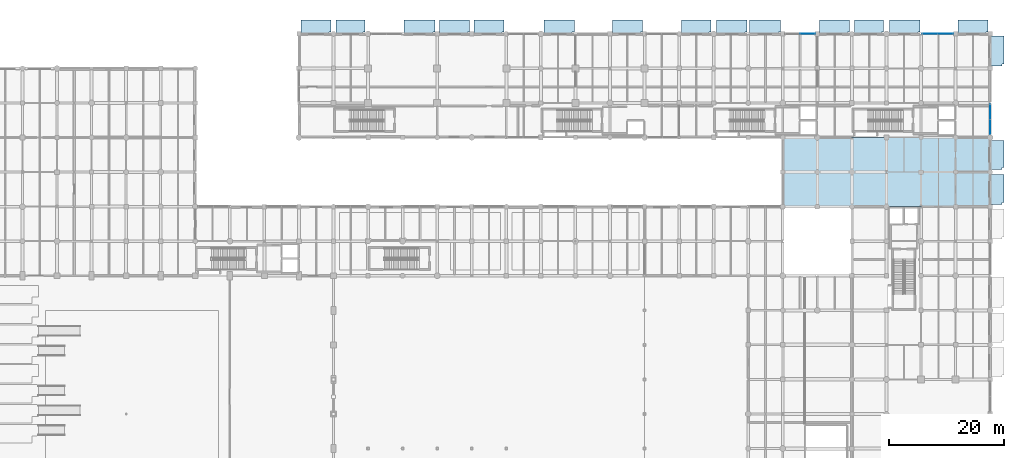
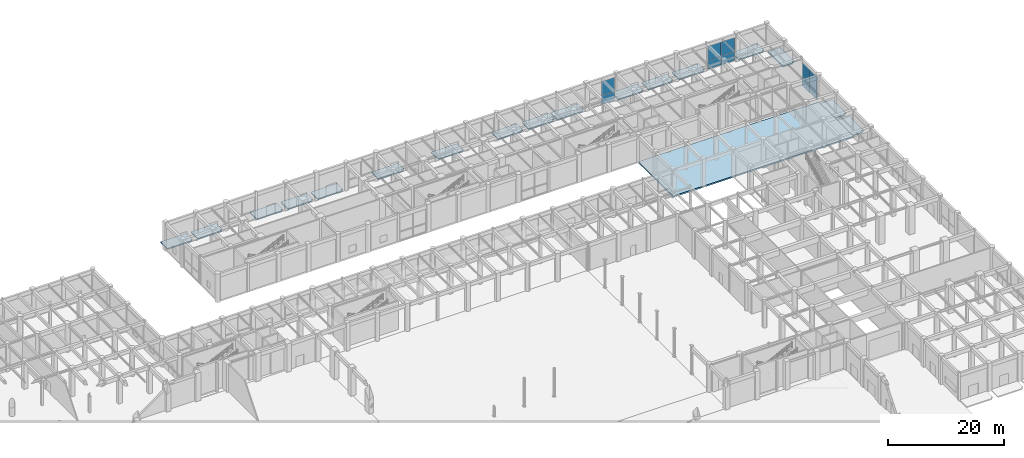
# One storey, part 75 of 106: 18 slabs, 10 plates, 3 elements without a shape of their own.
"""IFC4 building model written with IfcOpenShell, lengths in metres."""

from ifc_helpers import new_model, si_unit, direction, frame, frame_2d, origin, place, context, subcontext, project, spatial, polyline, rectangle, outline, extrude, material, layer, layer_set, type_object, element, aggregate, save


model = new_model("IFC4")

# Units and contexts
model_context = context("Model", 3, precision=1e-05, world=origin(), true_north=direction((0.0, 1.0)))
body_context = subcontext(model_context, "Body", "Model", "MODEL_VIEW")
ifc_project = project(units=[si_unit("LENGTHUNIT", "METRE"), si_unit("AREAUNIT", "SQUARE_METRE"), si_unit("VOLUMEUNIT", "CUBIC_METRE"), si_unit("PLANEANGLEUNIT", "RADIAN"), si_unit("MASSUNIT", "GRAM", prefix="KILO"), si_unit("THERMODYNAMICTEMPERATUREUNIT", "KELVIN"), si_unit("POWERUNIT", "WATT")], contexts=[model_context])

# Site, building, storey
site_placement = place(None, origin())
site = spatial("IfcSite", under=ifc_project, at=site_placement, CompositionType="ELEMENT")
building_placement = place(site_placement, origin())
building = spatial("IfcBuilding", under=site, at=building_placement, Name="Phaisarnlok Congress Hotel", CompositionType="ELEMENT")
storey_placement = place(building_placement, origin())
storey = spatial("IfcBuildingStorey", under=building, at=storey_placement, Name="L00", CompositionType="ELEMENT", Elevation=0.0)

# Curtain wall, plates
ifc_material_1 = material(Name="Thermally Broken Unitised Aluminium & Low-E Glazing", Category="aluminium")
curtain_wall_type_1 = type_object("IfcCurtainWallType", Name="CW-UNIT-05", PredefinedType="NOTDEFINED", material=ifc_material_1)
curtain_wall_1_placement = place(storey_placement, origin())
curtain_wall_1 = element("IfcCurtainWall", 1, at=curtain_wall_1_placement, inside=storey, type_object=curtain_wall_type_1, Name="Unitised curtain wall CW-05 (L00)", PredefinedType="NOTDEFINED")
ifc_material_2 = material(Name="Triple Acoustic Solar-Control Glazing", Category="glass")
ifc_layer_1 = layer(ifc_material_2, 0.035888671875, Name="Triple Acoustic Solar-Control Glazing")
ifc_layer_set_1 = layer_set([ifc_layer_1], Name="Triple Acoustic Solar-Control Glazing")
plate_type = type_object("IfcPlateType", Name="CWP-GLZ-36", PredefinedType="CURTAIN_PANEL", material=ifc_layer_set_1)
plate_1_placement = place(storey_placement, frame((180.0, 108.52490234375, 0.0400390625), z_axis=(0.0, 0.0, 1.0), x_axis=(0.0, 1.0, 0.0)))
plate_1 = element("IfcPlate", 2, at=plate_1_placement, type_object=plate_type, Name="Glazed curtain panel CWP-02", PredefinedType="CURTAIN_PANEL", context=body_context, shape_type="SweptSolid", body=[
    extrude(rectangle(XDim=2.6103515625, YDim=0.028076171875, at=frame_2d((1.30517578125, 0.0))), origin(), (0.0, 0.0, 1.0), 1.856201171875),
])
plate_2_placement = place(storey_placement, frame((180.0, 108.52490234375, 1.896240234375), z_axis=(0.0, 0.0, 1.0), x_axis=(0.0, 1.0, 0.0)))
plate_2 = element("IfcPlate", 3, at=plate_2_placement, type_object=plate_type, Name="Glazed curtain panel CWP-02", PredefinedType="CURTAIN_PANEL", context=body_context, shape_type="SweptSolid", body=[
    extrude(rectangle(XDim=2.6103515625, YDim=0.028076171875, at=frame_2d((1.30517578125, 0.0))), origin(), (0.0, 0.0, 1.0), 3.0537109375),
])
plate_3_placement = place(storey_placement, frame((180.0, 111.165283203125, 0.0400390625), z_axis=(0.0, 0.0, 1.0), x_axis=(0.0, 1.0, 0.0)))
plate_3 = element("IfcPlate", 4, at=plate_3_placement, type_object=plate_type, Name="Glazed curtain panel CWP-02", PredefinedType="CURTAIN_PANEL", context=body_context, shape_type="SweptSolid", body=[
    extrude(rectangle(XDim=2.610107421875, YDim=0.028076171875, at=frame_2d((1.30517578125, 0.0))), origin(), (0.0, 0.0, 1.0), 1.856201171875),
])
plate_4_placement = place(storey_placement, frame((180.0, 111.165283203125, 1.896240234375), z_axis=(0.0, 0.0, 1.0), x_axis=(0.0, 1.0, 0.0)))
plate_4 = element("IfcPlate", 5, at=plate_4_placement, type_object=plate_type, Name="Glazed curtain panel CWP-02", PredefinedType="CURTAIN_PANEL", context=body_context, shape_type="SweptSolid", body=[
    extrude(rectangle(XDim=2.610107421875, YDim=0.028076171875, at=frame_2d((1.30517578125, 0.0))), origin(), (0.0, 0.0, 1.0), 3.0537109375),
])
aggregate(curtain_wall_1, [plate_1, plate_2, plate_3, plate_4])

curtain_wall_type_2 = type_object("IfcCurtainWallType", Name="CW-UNIT-04", PredefinedType="NOTDEFINED", material=ifc_material_1)
curtain_wall_2_placement = place(storey_placement, origin())
curtain_wall_2 = element("IfcCurtainWall", 6, at=curtain_wall_2_placement, inside=storey, type_object=curtain_wall_type_2, Name="Unitised curtain wall CW-04 (L00)", PredefinedType="NOTDEFINED")
plate_5_placement = place(storey_placement, frame((173.574951171875, 126.0, 0.0400390625), z_axis=(0.0, 0.0, 1.0), x_axis=(-1.0, 0.0, 0.0)))
plate_5 = element("IfcPlate", 7, at=plate_5_placement, type_object=plate_type, Name="Glazed curtain panel CWP-02", PredefinedType="CURTAIN_PANEL", context=body_context, shape_type="SweptSolid", body=[
    extrude(rectangle(XDim=2.65966796875, YDim=0.028076171875, at=frame_2d((1.329833984375, 0.0))), origin(), (0.0, 0.0, 1.0), 1.856201171875),
])
plate_6_placement = place(storey_placement, frame((173.574951171875, 126.0, 1.896240234375), z_axis=(0.0, 0.0, 1.0), x_axis=(-1.0, 0.0, 0.0)))
plate_6 = element("IfcPlate", 8, at=plate_6_placement, type_object=plate_type, Name="Glazed curtain panel CWP-02", PredefinedType="CURTAIN_PANEL", context=body_context, shape_type="SweptSolid", body=[
    extrude(rectangle(XDim=2.65966796875, YDim=0.028076171875, at=frame_2d((1.329833984375, 0.0))), origin(), (0.0, 0.0, 1.0), 3.0537109375),
])
plate_7_placement = place(storey_placement, frame((170.88525390625, 126.0, 0.0400390625), z_axis=(0.0, 0.0, 1.0), x_axis=(-1.0, 0.0, 0.0)))
plate_7 = element("IfcPlate", 9, at=plate_7_placement, type_object=plate_type, Name="Glazed curtain panel CWP-02", PredefinedType="CURTAIN_PANEL", context=body_context, shape_type="SweptSolid", body=[
    extrude(rectangle(XDim=2.65966796875, YDim=0.028076171875, at=frame_2d((1.329833984375, 0.0))), origin(), (0.0, 0.0, 1.0), 1.856201171875),
])
plate_8_placement = place(storey_placement, frame((170.88525390625, 126.0, 1.896240234375), z_axis=(0.0, 0.0, 1.0), x_axis=(-1.0, 0.0, 0.0)))
plate_8 = element("IfcPlate", 10, at=plate_8_placement, type_object=plate_type, Name="Glazed curtain panel CWP-02", PredefinedType="CURTAIN_PANEL", context=body_context, shape_type="SweptSolid", body=[
    extrude(rectangle(XDim=2.65966796875, YDim=0.028076171875, at=frame_2d((1.329833984375, 0.0))), origin(), (0.0, 0.0, 1.0), 3.0537109375),
])
aggregate(curtain_wall_2, [plate_5, plate_6, plate_7, plate_8])

curtain_wall_type_3 = type_object("IfcCurtainWallType", Name="CW-UNIT-03", PredefinedType="NOTDEFINED", material=ifc_material_1)
curtain_wall_3_placement = place(storey_placement, origin())
curtain_wall_3 = element("IfcCurtainWall", 11, at=curtain_wall_3_placement, inside=storey, type_object=curtain_wall_type_3, Name="Unitised curtain wall CW-03 (L00)", PredefinedType="NOTDEFINED")
plate_9_placement = place(storey_placement, frame((149.60009765625, 126.0, 0.0400390625), z_axis=(0.0, 0.0, 1.0), x_axis=(-1.0, 0.0, 0.0)))
plate_9 = element("IfcPlate", 12, at=plate_9_placement, type_object=plate_type, Name="Glazed curtain panel CWP-02", PredefinedType="CURTAIN_PANEL", context=body_context, shape_type="SweptSolid", body=[
    extrude(rectangle(XDim=2.572509765625, YDim=0.028076171875, at=frame_2d((1.2861328125, 0.0))), origin(), (0.0, 0.0, 1.0), 1.856201171875),
])
plate_10_placement = place(storey_placement, frame((149.60009765625, 126.0, 1.896240234375), z_axis=(0.0, 0.0, 1.0), x_axis=(-1.0, 0.0, 0.0)))
plate_10 = element("IfcPlate", 13, at=plate_10_placement, type_object=plate_type, Name="Glazed curtain panel CWP-02", PredefinedType="CURTAIN_PANEL", context=body_context, shape_type="SweptSolid", body=[
    extrude(rectangle(XDim=2.572509765625, YDim=0.028076171875, at=frame_2d((1.2861328125, 0.0))), origin(), (0.0, 0.0, 1.0), 3.0537109375),
])
aggregate(curtain_wall_3, [plate_9, plate_10])

# Slabs
ifc_material_3 = material(Name="Concrete C40/50", Category="concrete")
ifc_layer_2 = layer(ifc_material_3, 0.300048828125, Name="Concrete C40/50")
ifc_layer_set_2 = layer_set([ifc_layer_2], Name="Concrete C40/50")
slab_type_1 = type_object("IfcSlabType", Name="SLB-INT-300", PredefinedType="FLOOR", material=ifc_layer_set_2)
slab_1_placement = place(storey_placement, frame((0.0, 0.0, -0.300048828125)))
element("IfcSlab", 14, at=slab_1_placement, inside=storey, type_object=slab_type_1, Name="Floor slab SL-INT-300 (L00 v5_link_n)", PredefinedType="FLOOR", context=body_context, shape_type="SweptSolid", body=[
    extrude(outline(polyline([(180.0, 96.0), (180.0, 108.0), (144.0, 108.0), (144.0, 96.0), (180.0, 96.0)])), origin(), (0.0, 0.0, 1.0), 0.300048828125),
])
ifc_layer_3 = layer(ifc_material_3, 0.25, Name="Concrete C40/50")
ifc_layer_set_3 = layer_set([ifc_layer_3], Name="Concrete C40/50")
slab_type_2 = type_object("IfcSlabType", Name="SLB-PLAZA-250", PredefinedType="BASESLAB", material=ifc_layer_set_3)
slab_2_placement = place(storey_placement, frame((0.0, 0.0, -0.25)))
element("IfcSlab", 15, at=slab_2_placement, inside=storey, type_object=slab_type_2, Name="Exit discharge threshold slab (FE-28)", PredefinedType="BASESLAB", context=body_context, shape_type="SweptSolid", body=[
    extrude(outline(polyline([(180.0, 96.3798828125), (182.050048828125, 96.3798828125), (182.050048828125, 96.72998046875), (182.39990234375, 96.72998046875), (182.39990234375, 101.570068359375), (180.0, 101.570068359375), (180.0, 96.3798828125)])), origin(), (0.0, 0.0, 1.0), 0.25),
])
slab_3_placement = place(storey_placement, frame((0.0, 0.0, -0.25)))
element("IfcSlab", 16, at=slab_3_placement, inside=storey, type_object=slab_type_2, Name="Exit discharge threshold slab (FE-29)", PredefinedType="BASESLAB", context=body_context, shape_type="SweptSolid", body=[
    extrude(outline(polyline([(180.0, 102.429931640625), (182.050048828125, 102.429931640625), (182.050048828125, 102.780029296875), (182.39990234375, 102.780029296875), (182.39990234375, 107.4951171875), (180.0, 107.4951171875), (180.0, 102.429931640625)])), origin(), (0.0, 0.0, 1.0), 0.25),
])
slab_4_placement = place(storey_placement, frame((0.0, 0.0, -0.25)))
element("IfcSlab", 17, at=slab_4_placement, inside=storey, type_object=slab_type_2, Name="Exit discharge threshold slab (FE-30)", PredefinedType="BASESLAB", context=body_context, shape_type="SweptSolid", body=[
    extrude(outline(polyline([(180.0, 120.405029296875), (182.050048828125, 120.405029296875), (182.050048828125, 120.7548828125), (182.39990234375, 120.7548828125), (182.39990234375, 125.6201171875), (180.0, 125.6201171875), (180.0, 120.405029296875)])), origin(), (0.0, 0.0, 1.0), 0.25),
])
slab_5_placement = place(storey_placement, frame((0.0, 0.0, -0.25)))
element("IfcSlab", 18, at=slab_5_placement, inside=storey, type_object=slab_type_2, Name="Exit discharge threshold slab (FE-31)", PredefinedType="BASESLAB", context=body_context, shape_type="SweptSolid", body=[
    extrude(outline(polyline([(174.405029296875, 126.0), (179.27001953125, 126.0), (179.27001953125, 126.35009765625), (179.6201171875, 126.35009765625), (179.6201171875, 128.39990234375), (174.405029296875, 128.39990234375), (174.405029296875, 126.0)])), origin(), (0.0, 0.0, 1.0), 0.25),
])
slab_6_placement = place(storey_placement, frame((0.0, 0.0, -0.25)))
element("IfcSlab", 19, at=slab_6_placement, inside=storey, type_object=slab_type_2, Name="Exit discharge threshold slab (FE-32)", PredefinedType="BASESLAB", context=body_context, shape_type="SweptSolid", body=[
    extrude(outline(polyline([(162.5048828125, 126.0), (167.444580078125, 126.0), (167.444580078125, 126.35009765625), (167.79443359375, 126.35009765625), (167.79443359375, 128.39990234375), (162.5048828125, 128.39990234375), (162.5048828125, 126.0)])), origin(), (0.0, 0.0, 1.0), 0.25),
])
slab_7_placement = place(storey_placement, frame((0.0, 0.0, -0.25)))
element("IfcSlab", 20, at=slab_7_placement, inside=storey, type_object=slab_type_2, Name="Exit discharge threshold slab (FE-33)", PredefinedType="BASESLAB", context=body_context, shape_type="SweptSolid", body=[
    extrude(outline(polyline([(156.429931640625, 126.0), (161.14501953125, 126.0), (161.14501953125, 126.35009765625), (161.4951171875, 126.35009765625), (161.4951171875, 128.39990234375), (156.429931640625, 128.39990234375), (156.429931640625, 126.0)])), origin(), (0.0, 0.0, 1.0), 0.25),
])
slab_8_placement = place(storey_placement, frame((0.0, 0.0, -0.25)))
element("IfcSlab", 21, at=slab_8_placement, inside=storey, type_object=slab_type_2, Name="Exit discharge threshold slab (FE-34)", PredefinedType="BASESLAB", context=body_context, shape_type="SweptSolid", body=[
    extrude(outline(polyline([(150.3798828125, 126.0), (155.219970703125, 126.0), (155.219970703125, 126.35009765625), (155.570068359375, 126.35009765625), (155.570068359375, 128.39990234375), (150.3798828125, 128.39990234375), (150.3798828125, 126.0)])), origin(), (0.0, 0.0, 1.0), 0.25),
])
slab_9_placement = place(storey_placement, frame((0.0, 0.0, -0.25)))
element("IfcSlab", 22, at=slab_9_placement, inside=storey, type_object=slab_type_2, Name="Exit discharge threshold slab (FE-35)", PredefinedType="BASESLAB", context=body_context, shape_type="SweptSolid", body=[
    extrude(outline(polyline([(138.20556640625, 126.0), (143.2451171875, 126.0), (143.2451171875, 126.35009765625), (143.594970703125, 126.35009765625), (143.594970703125, 128.39990234375), (138.20556640625, 128.39990234375), (138.20556640625, 126.0)])), origin(), (0.0, 0.0, 1.0), 0.25),
])
slab_10_placement = place(storey_placement, frame((0.0, 0.0, -0.25)))
element("IfcSlab", 23, at=slab_10_placement, inside=storey, type_object=slab_type_2, Name="Exit discharge threshold slab (FE-36)", PredefinedType="BASESLAB", context=body_context, shape_type="SweptSolid", body=[
    extrude(outline(polyline([(132.5048828125, 126.0), (137.444580078125, 126.0), (137.444580078125, 126.35009765625), (137.79443359375, 126.35009765625), (137.79443359375, 128.39990234375), (132.5048828125, 128.39990234375), (132.5048828125, 126.0)])), origin(), (0.0, 0.0, 1.0), 0.25),
])
slab_11_placement = place(storey_placement, frame((0.0, 0.0, -0.25)))
element("IfcSlab", 24, at=slab_11_placement, inside=storey, type_object=slab_type_2, Name="Exit discharge threshold slab (FE-37)", PredefinedType="BASESLAB", context=body_context, shape_type="SweptSolid", body=[
    extrude(outline(polyline([(126.429931640625, 126.0), (131.14501953125, 126.0), (131.14501953125, 126.35009765625), (131.4951171875, 126.35009765625), (131.4951171875, 128.39990234375), (126.429931640625, 128.39990234375), (126.429931640625, 126.0)])), origin(), (0.0, 0.0, 1.0), 0.25),
])
slab_12_placement = place(storey_placement, frame((0.0, 0.0, -0.25)))
element("IfcSlab", 25, at=slab_12_placement, inside=storey, type_object=slab_type_2, Name="Exit discharge threshold slab (FE-38)", PredefinedType="BASESLAB", context=body_context, shape_type="SweptSolid", body=[
    extrude(outline(polyline([(114.405029296875, 126.0), (119.27001953125, 126.0), (119.27001953125, 126.35009765625), (119.6201171875, 126.35009765625), (119.6201171875, 128.39990234375), (114.405029296875, 128.39990234375), (114.405029296875, 126.0)])), origin(), (0.0, 0.0, 1.0), 0.25),
])
slab_13_placement = place(storey_placement, frame((0.0, 0.0, -0.25)))
element("IfcSlab", 26, at=slab_13_placement, inside=storey, type_object=slab_type_2, Name="Exit discharge threshold slab (FE-39)", PredefinedType="BASESLAB", context=body_context, shape_type="SweptSolid", body=[
    extrude(outline(polyline([(102.5048828125, 126.0), (107.444580078125, 126.0), (107.444580078125, 126.35009765625), (107.79443359375, 126.35009765625), (107.79443359375, 128.39990234375), (102.5048828125, 128.39990234375), (102.5048828125, 126.0)])), origin(), (0.0, 0.0, 1.0), 0.25),
])
slab_14_placement = place(storey_placement, frame((0.0, 0.0, -0.25)))
element("IfcSlab", 27, at=slab_14_placement, inside=storey, type_object=slab_type_2, Name="Exit discharge threshold slab (FE-40)", PredefinedType="BASESLAB", context=body_context, shape_type="SweptSolid", body=[
    extrude(outline(polyline([(90.3798828125, 126.0), (95.219970703125, 126.0), (95.219970703125, 126.35009765625), (95.570068359375, 126.35009765625), (95.570068359375, 128.39990234375), (90.3798828125, 128.39990234375), (90.3798828125, 126.0)])), origin(), (0.0, 0.0, 1.0), 0.25),
])
slab_15_placement = place(storey_placement, frame((0.0, 0.0, -0.25)))
element("IfcSlab", 28, at=slab_15_placement, inside=storey, type_object=slab_type_2, Name="Exit discharge threshold slab (FE-41)", PredefinedType="BASESLAB", context=body_context, shape_type="SweptSolid", body=[
    extrude(outline(polyline([(84.405029296875, 126.0), (89.27001953125, 126.0), (89.27001953125, 126.35009765625), (89.6201171875, 126.35009765625), (89.6201171875, 128.39990234375), (84.405029296875, 128.39990234375), (84.405029296875, 126.0)])), origin(), (0.0, 0.0, 1.0), 0.25),
])
slab_16_placement = place(storey_placement, frame((0.0, 0.0, -0.25)))
element("IfcSlab", 29, at=slab_16_placement, inside=storey, type_object=slab_type_2, Name="Exit discharge threshold slab (FE-42)", PredefinedType="BASESLAB", context=body_context, shape_type="SweptSolid", body=[
    extrude(outline(polyline([(78.20556640625, 126.0), (83.2451171875, 126.0), (83.2451171875, 126.35009765625), (83.594970703125, 126.35009765625), (83.594970703125, 128.39990234375), (78.20556640625, 128.39990234375), (78.20556640625, 126.0)])), origin(), (0.0, 0.0, 1.0), 0.25),
])
slab_17_placement = place(storey_placement, frame((0.0, 0.0, -0.25)))
element("IfcSlab", 30, at=slab_17_placement, inside=storey, type_object=slab_type_2, Name="Exit discharge threshold slab (FE-43)", PredefinedType="BASESLAB", context=body_context, shape_type="SweptSolid", body=[
    extrude(outline(polyline([(66.429931640625, 126.0), (71.14501953125, 126.0), (71.14501953125, 126.35009765625), (71.4951171875, 126.35009765625), (71.4951171875, 128.39990234375), (66.429931640625, 128.39990234375), (66.429931640625, 126.0)])), origin(), (0.0, 0.0, 1.0), 0.25),
])
slab_18_placement = place(storey_placement, frame((0.0, 0.0, -0.25)))
element("IfcSlab", 31, at=slab_18_placement, inside=storey, type_object=slab_type_2, Name="Exit discharge threshold slab (FE-44)", PredefinedType="BASESLAB", context=body_context, shape_type="SweptSolid", body=[
    extrude(outline(polyline([(60.3798828125, 126.0), (65.219970703125, 126.0), (65.219970703125, 126.35009765625), (65.570068359375, 126.35009765625), (65.570068359375, 128.39990234375), (60.3798828125, 128.39990234375), (60.3798828125, 126.0)])), origin(), (0.0, 0.0, 1.0), 0.25),
])

save(model, "model.ifc")
